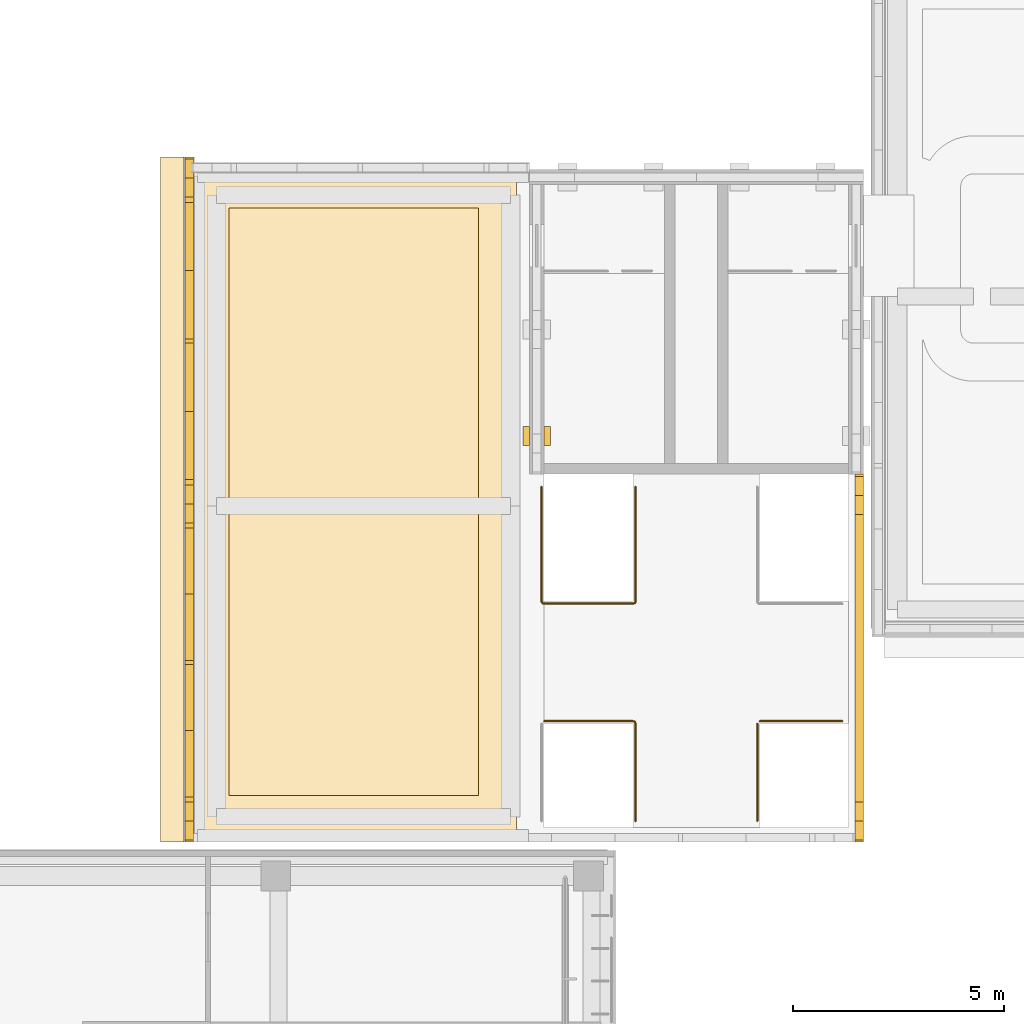
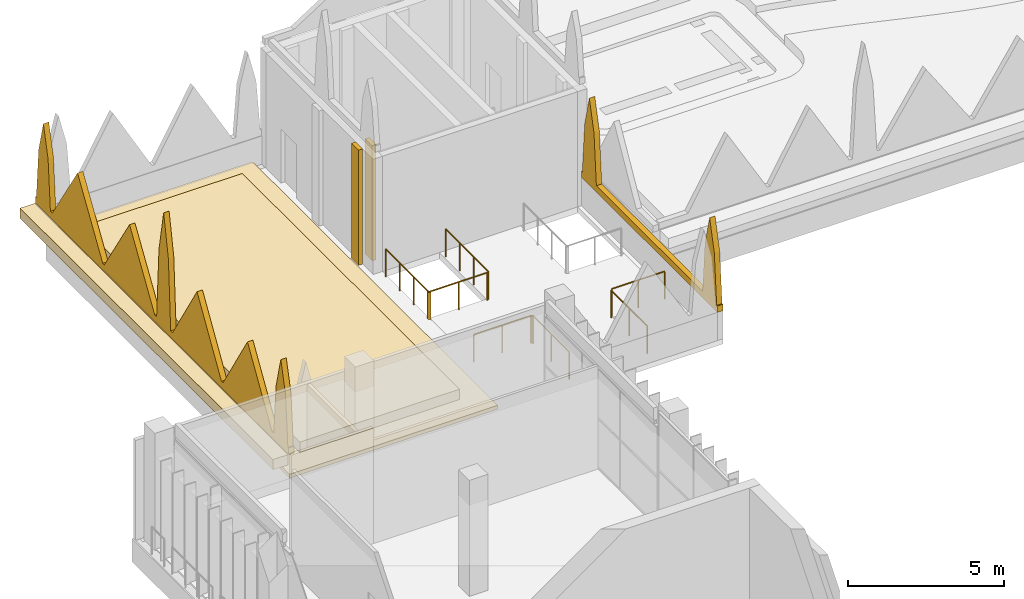
# One storey, part 37 of 46: 7 coverings, 4 railings.
"""IFC4 building model written with IfcOpenShell, lengths in metres."""

from ifc_helpers import new_model, si_unit, direction, frame, frame_2d, origin, origin_2d, place, context, subcontext, project, spatial, polyline, rectangle, circle, outline, extrude, material, layer, layer_set, type_object, element, save


model = new_model("IFC4")

# Units and contexts
model_context = context("Model", 3, precision=1e-05, world=origin(), true_north=direction((0.0, 1.0)))
body_context = subcontext(model_context, "Body", "Model", "MODEL_VIEW")
ifc_project = project(units=[si_unit("LENGTHUNIT", "METRE"), si_unit("AREAUNIT", "SQUARE_METRE"), si_unit("VOLUMEUNIT", "CUBIC_METRE"), si_unit("PLANEANGLEUNIT", "RADIAN"), si_unit("MASSUNIT", "GRAM", prefix="KILO")], contexts=[model_context])

# Site, building, storey
site_placement = place(None, origin())
site = spatial("IfcSite", under=ifc_project, at=site_placement, CompositionType="ELEMENT")
building_placement = place(site_placement, origin())
building = spatial("IfcBuilding", under=site, at=building_placement, Name="Lantern Court Media Centre", CompositionType="ELEMENT")
storey_placement = place(building_placement, frame((0.0, 0.0, 28.800048828125)))
storey = spatial("IfcBuildingStorey", under=building, at=storey_placement, Name="L06", CompositionType="ELEMENT", Elevation=28.800048828125)

# Railings
ifc_material_1 = material(Name="Powder-coated steel", Category="steel")
railing_type = type_object("IfcRailingType", Name="Floor edge guard 1100", PredefinedType="GUARDRAIL", material=ifc_material_1)
railing_1_placement = place(storey_placement, frame((18.510009765625, 104.5, 0.0)))
element("IfcRailing", 1, at=railing_1_placement, inside=storey, type_object=railing_type, Name="L06 opening guard 154", PredefinedType="GUARDRAIL", context=body_context, shape_type="SweptSolid", body=[
    extrude(circle(Radius=0.02392578125, at=origin_2d()), frame((0.0, 0.0, 1.076171875), z_axis=(0.0, -1.0, 0.0), x_axis=(1.0, 0.0, 0.0)), (0.0, 0.0, 1.0), 2.699951171875),
    extrude(circle(Radius=0.02392578125, at=origin_2d()), frame((0.0, -2.699951171875, 1.076171875), z_axis=(-0.041630544712, -0.999133073092, 0.0), x_axis=(0.999133073092, -0.041630544712, 0.0)), (0.0, 0.0, 1.0), 0.005859375),
    extrude(circle(Radius=0.02392578125, at=origin_2d()), frame((-0.000244140625, -2.705810546875, 1.076171875), z_axis=(-0.164398987305, -0.986393923832, 0.0), x_axis=(0.986393923832, -0.164398987305, 0.0)), (0.0, 0.0, 1.0), 0.005859375),
    extrude(circle(Radius=0.02392578125, at=origin_2d()), frame((-0.001220703125, -2.711669921875, 1.076171875), z_axis=(-0.242535625036, -0.970142500145, 0.0), x_axis=(0.970142500145, -0.242535625036, 0.0)), (0.0, 0.0, 1.0), 0.006103515625),
    extrude(circle(Radius=0.02392578125, at=origin_2d()), frame((-0.002685546875, -2.717529296875, 1.076171875), z_axis=(-0.341743063087, -0.939793423488, 0.0), x_axis=(0.939793423488, -0.341743063087, 0.0)), (0.0, 0.0, 1.0), 0.005615234375),
    extrude(circle(Radius=0.02392578125, at=origin_2d()), frame((-0.004638671875, -2.722900390625, 1.076171875), z_axis=(-0.413802944301, -0.910366477463, 0.0), x_axis=(0.910366477463, -0.413802944301, 0.0)), (0.0, 0.0, 1.0), 0.005859375),
    extrude(circle(Radius=0.02392578125, at=origin_2d()), frame((-0.007080078125, -2.728271484375, 1.076171875), z_axis=(-0.496138938357, -0.868243142124, 0.0), x_axis=(0.868243142124, -0.496138938357, 0.0)), (0.0, 0.0, 1.0), 0.005859375),
    extrude(circle(Radius=0.02392578125, at=origin_2d()), frame((-0.010009765625, -2.7333984375, 1.076171875), z_axis=(-0.619644288579, -0.784882765533, 0.0), x_axis=(0.784882765533, -0.619644288579, 0.0)), (0.0, 0.0, 1.0), 0.005859375),
    extrude(circle(Radius=0.02392578125, at=origin_2d()), frame((-0.013671875, -2.738037109375, 1.076171875), z_axis=(-0.66436383883, -0.747409318684, 0.0), x_axis=(0.747409318684, -0.66436383883, 0.0)), (0.0, 0.0, 1.0), 0.005859375),
    extrude(circle(Radius=0.02392578125, at=origin_2d()), frame((-0.017578125, -2.742431640625, 1.076171875), z_axis=(-0.747409318684, -0.66436383883, 0.0), x_axis=(0.66436383883, -0.747409318684, 0.0)), (0.0, 0.0, 1.0), 0.005859375),
    extrude(circle(Radius=0.02392578125, at=origin_2d()), frame((-0.02197265625, -2.746337890625, 1.076171875), z_axis=(-0.784882765533, -0.619644288579, 0.0), x_axis=(0.619644288579, -0.784882765533, 0.0)), (0.0, 0.0, 1.0), 0.005859375),
    extrude(circle(Radius=0.02392578125, at=origin_2d()), frame((-0.026611328125, -2.75, 1.076171875), z_axis=(-0.868243142124, -0.496138938357, 0.0), x_axis=(0.496138938357, -0.868243142124, 0.0)), (0.0, 0.0, 1.0), 0.005859375),
    extrude(circle(Radius=0.02392578125, at=origin_2d()), frame((-0.03173828125, -2.7529296875, 1.076171875), z_axis=(-0.910366477463, -0.413802944301, 0.0), x_axis=(0.413802944301, -0.910366477463, 0.0)), (0.0, 0.0, 1.0), 0.005859375),
    extrude(circle(Radius=0.02392578125, at=origin_2d()), frame((-0.037109375, -2.75537109375, 1.076171875), z_axis=(-0.939793423488, -0.341743063087, 0.0), x_axis=(0.341743063087, -0.939793423488, 0.0)), (0.0, 0.0, 1.0), 0.005615234375),
    extrude(circle(Radius=0.02392578125, at=origin_2d()), frame((-0.04248046875, -2.75732421875, 1.076171875), z_axis=(-0.970142500145, -0.242535625036, 0.0), x_axis=(0.242535625036, -0.970142500145, 0.0)), (0.0, 0.0, 1.0), 0.006103515625),
    extrude(circle(Radius=0.02392578125, at=origin_2d()), frame((-0.04833984375, -2.7587890625, 1.076171875), z_axis=(-0.986393923832, -0.164398987305, 0.0), x_axis=(0.164398987305, -0.986393923832, 0.0)), (0.0, 0.0, 1.0), 0.005859375),
    extrude(circle(Radius=0.02392578125, at=origin_2d()), frame((-0.05419921875, -2.759765625, 1.076171875), z_axis=(-0.999133073092, -0.041630544712, 0.0), x_axis=(0.041630544712, -0.999133073092, 0.0)), (0.0, 0.0, 1.0), 0.005859375),
    extrude(circle(Radius=0.02392578125, at=origin_2d()), frame((-0.06005859375, -2.760009765625, 1.076171875), z_axis=(-1.0, 0.0, 0.0), x_axis=(0.0, -1.0, 0.0)), (0.0, 0.0, 1.0), 2.099853515625),
    extrude(circle(Radius=0.02392578125, at=origin_2d()), frame((-2.159912109375, -2.760009765625, 1.076171875), z_axis=(-0.999133073092, 0.041630544712, 0.0), x_axis=(-0.041630544712, -0.999133073092, 0.0)), (0.0, 0.0, 1.0), 0.005859375),
    extrude(circle(Radius=0.02392578125, at=origin_2d()), frame((-2.165771484375, -2.759765625, 1.076171875), z_axis=(-0.986393923832, 0.164398987305, 0.0), x_axis=(-0.164398987305, -0.986393923832, 0.0)), (0.0, 0.0, 1.0), 0.005859375),
    extrude(circle(Radius=0.02392578125, at=origin_2d()), frame((-2.171630859375, -2.7587890625, 1.076171875), z_axis=(-0.970142500145, 0.242535625036, 0.0), x_axis=(-0.242535625036, -0.970142500145, 0.0)), (0.0, 0.0, 1.0), 0.006103515625),
    extrude(circle(Radius=0.02392578125, at=origin_2d()), frame((-2.177490234375, -2.75732421875, 1.076171875), z_axis=(-0.939793423488, 0.341743063087, 0.0), x_axis=(-0.341743063087, -0.939793423488, 0.0)), (0.0, 0.0, 1.0), 0.005615234375),
    extrude(circle(Radius=0.02392578125, at=origin_2d()), frame((-2.182861328125, -2.75537109375, 1.076171875), z_axis=(-0.910366477463, 0.413802944301, 0.0), x_axis=(-0.413802944301, -0.910366477463, 0.0)), (0.0, 0.0, 1.0), 0.005859375),
    extrude(circle(Radius=0.02392578125, at=origin_2d()), frame((-2.188232421875, -2.7529296875, 1.076171875), z_axis=(-0.868243142124, 0.496138938357, 0.0), x_axis=(-0.496138938357, -0.868243142124, 0.0)), (0.0, 0.0, 1.0), 0.005859375),
    extrude(circle(Radius=0.02392578125, at=origin_2d()), frame((-2.193359375, -2.75, 1.076171875), z_axis=(-0.784882765533, 0.619644288579, 0.0), x_axis=(-0.619644288579, -0.784882765533, 0.0)), (0.0, 0.0, 1.0), 0.005859375),
    extrude(circle(Radius=0.02392578125, at=origin_2d()), frame((-2.197998046875, -2.746337890625, 1.076171875), z_axis=(-0.747409318684, 0.66436383883, 0.0), x_axis=(-0.66436383883, -0.747409318684, 0.0)), (0.0, 0.0, 1.0), 0.005859375),
    extrude(circle(Radius=0.02392578125, at=origin_2d()), frame((-2.202392578125, -2.742431640625, 1.076171875), z_axis=(-0.66436383883, 0.747409318684, 0.0), x_axis=(-0.747409318684, -0.66436383883, 0.0)), (0.0, 0.0, 1.0), 0.005859375),
    extrude(circle(Radius=0.02392578125, at=origin_2d()), frame((-2.206298828125, -2.738037109375, 1.076171875), z_axis=(-0.619644288579, 0.784882765533, 0.0), x_axis=(-0.784882765533, -0.619644288579, 0.0)), (0.0, 0.0, 1.0), 0.005859375),
    extrude(circle(Radius=0.02392578125, at=origin_2d()), frame((-2.2099609375, -2.7333984375, 1.076171875), z_axis=(-0.496138938357, 0.868243142124, 0.0), x_axis=(-0.868243142124, -0.496138938357, 0.0)), (0.0, 0.0, 1.0), 0.005859375),
    extrude(circle(Radius=0.02392578125, at=origin_2d()), frame((-2.212890625, -2.728271484375, 1.076171875), z_axis=(-0.413802944301, 0.910366477463, 0.0), x_axis=(-0.910366477463, -0.413802944301, 0.0)), (0.0, 0.0, 1.0), 0.005859375),
    extrude(circle(Radius=0.02392578125, at=origin_2d()), frame((-2.21533203125, -2.722900390625, 1.076171875), z_axis=(-0.378632845721, 0.925546956206, 0.0), x_axis=(-0.925546956206, -0.378632845721, 0.0)), (0.0, 0.0, 1.0), 0.005859375),
    extrude(circle(Radius=0.02392578125, at=origin_2d()), frame((-2.217529296875, -2.717529296875, 1.076171875), z_axis=(-0.203954254112, 0.978980419738, 0.0), x_axis=(-0.978980419738, -0.203954254112, 0.0)), (0.0, 0.0, 1.0), 0.006103515625),
    extrude(circle(Radius=0.02392578125, at=origin_2d()), frame((-2.21875, -2.711669921875, 1.076171875), z_axis=(-0.164398987305, 0.986393923832, 0.0), x_axis=(-0.986393923832, -0.164398987305, 0.0)), (0.0, 0.0, 1.0), 0.005859375),
    extrude(circle(Radius=0.02392578125, at=origin_2d()), frame((-2.2197265625, -2.705810546875, 1.076171875), z_axis=(-0.041630544712, 0.999133073092, 0.0), x_axis=(-0.999133073092, -0.041630544712, 0.0)), (0.0, 0.0, 1.0), 0.005859375),
    extrude(circle(Radius=0.02392578125, at=origin_2d()), frame((-2.219970703125, -2.699951171875, 1.076171875), z_axis=(0.0, 1.0, 0.0), x_axis=(-1.0, 0.0, 0.0)), (0.0, 0.0, 1.0), 2.699951171875),
    extrude(circle(Radius=0.02099609375, at=origin_2d()), origin(), (0.0, 0.0, 1.0), 1.052001953125),
    extrude(circle(Radius=0.02099609375, at=origin_2d()), frame((0.0, -0.89990234375, 0.0)), (0.0, 0.0, 1.0), 1.052001953125),
    extrude(circle(Radius=0.02099609375, at=origin_2d()), frame((0.0, -1.800048828125, 0.0)), (0.0, 0.0, 1.0), 1.052001953125),
    extrude(circle(Radius=0.02099609375, at=origin_2d()), frame((0.0, -2.699951171875, 0.0)), (0.0, 0.0, 1.0), 1.052001953125),
    extrude(circle(Radius=0.02099609375, at=origin_2d()), frame((-0.000244140625, -2.705810546875, 0.0)), (0.0, 0.0, 1.0), 1.052001953125),
    extrude(circle(Radius=0.02099609375, at=origin_2d()), frame((-0.001220703125, -2.711669921875, 0.0)), (0.0, 0.0, 1.0), 1.052001953125),
    extrude(circle(Radius=0.02099609375, at=origin_2d()), frame((-0.002685546875, -2.717529296875, 0.0)), (0.0, 0.0, 1.0), 1.052001953125),
    extrude(circle(Radius=0.02099609375, at=origin_2d()), frame((-0.004638671875, -2.722900390625, 0.0)), (0.0, 0.0, 1.0), 1.052001953125),
    extrude(circle(Radius=0.02099609375, at=origin_2d()), frame((-0.007080078125, -2.728271484375, 0.0)), (0.0, 0.0, 1.0), 1.052001953125),
    extrude(circle(Radius=0.02099609375, at=origin_2d()), frame((-0.010009765625, -2.7333984375, 0.0)), (0.0, 0.0, 1.0), 1.052001953125),
    extrude(circle(Radius=0.02099609375, at=origin_2d()), frame((-0.013671875, -2.738037109375, 0.0)), (0.0, 0.0, 1.0), 1.052001953125),
    extrude(circle(Radius=0.02099609375, at=origin_2d()), frame((-0.017578125, -2.742431640625, 0.0)), (0.0, 0.0, 1.0), 1.052001953125),
    extrude(circle(Radius=0.02099609375, at=origin_2d()), frame((-0.02197265625, -2.746337890625, 0.0)), (0.0, 0.0, 1.0), 1.052001953125),
    extrude(circle(Radius=0.02099609375, at=origin_2d()), frame((-0.026611328125, -2.75, 0.0)), (0.0, 0.0, 1.0), 1.052001953125),
    extrude(circle(Radius=0.02099609375, at=origin_2d()), frame((-0.03173828125, -2.7529296875, 0.0)), (0.0, 0.0, 1.0), 1.052001953125),
    extrude(circle(Radius=0.02099609375, at=origin_2d()), frame((-0.037109375, -2.75537109375, 0.0)), (0.0, 0.0, 1.0), 1.052001953125),
    extrude(circle(Radius=0.02099609375, at=origin_2d()), frame((-0.04248046875, -2.75732421875, 0.0)), (0.0, 0.0, 1.0), 1.052001953125),
    extrude(circle(Radius=0.02099609375, at=origin_2d()), frame((-0.04833984375, -2.7587890625, 0.0)), (0.0, 0.0, 1.0), 1.052001953125),
    extrude(circle(Radius=0.02099609375, at=origin_2d()), frame((-0.05419921875, -2.759765625, 0.0)), (0.0, 0.0, 1.0), 1.052001953125),
    extrude(circle(Radius=0.02099609375, at=origin_2d()), frame((-0.06005859375, -2.760009765625, 0.0)), (0.0, 0.0, 1.0), 1.052001953125),
    extrude(circle(Radius=0.02099609375, at=origin_2d()), frame((-1.10986328125, -2.760009765625, 0.0)), (0.0, 0.0, 1.0), 1.052001953125),
    extrude(circle(Radius=0.02099609375, at=origin_2d()), frame((-2.159912109375, -2.760009765625, 0.0)), (0.0, 0.0, 1.0), 1.052001953125),
    extrude(circle(Radius=0.02099609375, at=origin_2d()), frame((-2.165771484375, -2.759765625, 0.0)), (0.0, 0.0, 1.0), 1.052001953125),
    extrude(circle(Radius=0.02099609375, at=origin_2d()), frame((-2.171630859375, -2.7587890625, 0.0)), (0.0, 0.0, 1.0), 1.052001953125),
    extrude(circle(Radius=0.02099609375, at=origin_2d()), frame((-2.177490234375, -2.75732421875, 0.0)), (0.0, 0.0, 1.0), 1.052001953125),
    extrude(circle(Radius=0.02099609375, at=origin_2d()), frame((-2.182861328125, -2.75537109375, 0.0)), (0.0, 0.0, 1.0), 1.052001953125),
    extrude(circle(Radius=0.02099609375, at=origin_2d()), frame((-2.188232421875, -2.7529296875, 0.0)), (0.0, 0.0, 1.0), 1.052001953125),
    extrude(circle(Radius=0.02099609375, at=origin_2d()), frame((-2.193359375, -2.75, 0.0)), (0.0, 0.0, 1.0), 1.052001953125),
    extrude(circle(Radius=0.02099609375, at=origin_2d()), frame((-2.197998046875, -2.746337890625, 0.0)), (0.0, 0.0, 1.0), 1.052001953125),
    extrude(circle(Radius=0.02099609375, at=origin_2d()), frame((-2.202392578125, -2.742431640625, 0.0)), (0.0, 0.0, 1.0), 1.052001953125),
    extrude(circle(Radius=0.02099609375, at=origin_2d()), frame((-2.206298828125, -2.738037109375, 0.0)), (0.0, 0.0, 1.0), 1.052001953125),
    extrude(circle(Radius=0.02099609375, at=origin_2d()), frame((-2.2099609375, -2.7333984375, 0.0)), (0.0, 0.0, 1.0), 1.052001953125),
    extrude(circle(Radius=0.02099609375, at=origin_2d()), frame((-2.212890625, -2.728271484375, 0.0)), (0.0, 0.0, 1.0), 1.052001953125),
    extrude(circle(Radius=0.02099609375, at=origin_2d()), frame((-2.21533203125, -2.722900390625, 0.0)), (0.0, 0.0, 1.0), 1.052001953125),
    extrude(circle(Radius=0.02099609375, at=origin_2d()), frame((-2.217529296875, -2.717529296875, 0.0)), (0.0, 0.0, 1.0), 1.052001953125),
    extrude(circle(Radius=0.02099609375, at=origin_2d()), frame((-2.21875, -2.711669921875, 0.0)), (0.0, 0.0, 1.0), 1.052001953125),
    extrude(circle(Radius=0.02099609375, at=origin_2d()), frame((-2.2197265625, -2.705810546875, 0.0)), (0.0, 0.0, 1.0), 1.052001953125),
    extrude(circle(Radius=0.02099609375, at=origin_2d()), frame((-2.219970703125, -2.699951171875, 0.0)), (0.0, 0.0, 1.0), 1.052001953125),
    extrude(circle(Radius=0.02099609375, at=origin_2d()), frame((-2.219970703125, -1.800048828125, 0.0)), (0.0, 0.0, 1.0), 1.052001953125),
    extrude(circle(Radius=0.02099609375, at=origin_2d()), frame((-2.219970703125, -0.89990234375, 0.0)), (0.0, 0.0, 1.0), 1.052001953125),
    extrude(circle(Radius=0.02099609375, at=origin_2d()), frame((-2.219970703125, 0.0, 0.0)), (0.0, 0.0, 1.0), 1.052001953125),
])
railing_2_placement = place(storey_placement, frame((16.35009765625, 98.9599609375, 0.0)))
element("IfcRailing", 2, at=railing_2_placement, inside=storey, type_object=railing_type, Name="L06 opening guard 156", PredefinedType="GUARDRAIL", context=body_context, shape_type="SweptSolid", body=[
    extrude(circle(Radius=0.02392578125, at=origin_2d()), frame((0.0, 0.0, 1.076171875), z_axis=(1.0, 0.0, 0.0), x_axis=(0.0, 1.0, 0.0)), (0.0, 0.0, 1.0), 2.099853515625),
    extrude(circle(Radius=0.02392578125, at=origin_2d()), frame((2.099853515625, 0.0, 1.076171875), z_axis=(0.999133073092, -0.041630544712, 0.0), x_axis=(0.041630544712, 0.999133073092, 0.0)), (0.0, 0.0, 1.0), 0.005859375),
    extrude(circle(Radius=0.02392578125, at=origin_2d()), frame((2.105712890625, -0.000244140625, 1.076171875), z_axis=(0.986393923832, -0.164398987305, 0.0), x_axis=(0.164398987305, 0.986393923832, 0.0)), (0.0, 0.0, 1.0), 0.005859375),
    extrude(circle(Radius=0.02392578125, at=origin_2d()), frame((2.111572265625, -0.001220703125, 1.076171875), z_axis=(0.978980419738, -0.203954254112, 0.0), x_axis=(0.203954254112, 0.978980419738, 0.0)), (0.0, 0.0, 1.0), 0.006103515625),
    extrude(circle(Radius=0.02392578125, at=origin_2d()), frame((2.117431640625, -0.00244140625, 1.076171875), z_axis=(0.925546956206, -0.378632845721, 0.0), x_axis=(0.378632845721, 0.925546956206, 0.0)), (0.0, 0.0, 1.0), 0.005859375),
    extrude(circle(Radius=0.02392578125, at=origin_2d()), frame((2.122802734375, -0.004638671875, 1.076171875), z_axis=(0.910366477463, -0.413802944301, 0.0), x_axis=(0.413802944301, 0.910366477463, 0.0)), (0.0, 0.0, 1.0), 0.005859375),
    extrude(circle(Radius=0.02392578125, at=origin_2d()), frame((2.128173828125, -0.007080078125, 1.076171875), z_axis=(0.868243142124, -0.496138938357, 0.0), x_axis=(0.496138938357, 0.868243142124, 0.0)), (0.0, 0.0, 1.0), 0.005859375),
    extrude(circle(Radius=0.02392578125, at=origin_2d()), frame((2.13330078125, -0.010009765625, 1.076171875), z_axis=(0.784882765533, -0.619644288579, 0.0), x_axis=(0.619644288579, 0.784882765533, 0.0)), (0.0, 0.0, 1.0), 0.005859375),
    extrude(circle(Radius=0.02392578125, at=origin_2d()), frame((2.137939453125, -0.013671875, 1.076171875), z_axis=(0.747409318684, -0.66436383883, 0.0), x_axis=(0.66436383883, 0.747409318684, 0.0)), (0.0, 0.0, 1.0), 0.005859375),
    extrude(circle(Radius=0.02392578125, at=origin_2d()), frame((2.142333984375, -0.017578125, 1.076171875), z_axis=(0.66436383883, -0.747409318684, 0.0), x_axis=(0.747409318684, 0.66436383883, 0.0)), (0.0, 0.0, 1.0), 0.005859375),
    extrude(circle(Radius=0.02392578125, at=origin_2d()), frame((2.146240234375, -0.02197265625, 1.076171875), z_axis=(0.619644288579, -0.784882765533, 0.0), x_axis=(0.784882765533, 0.619644288579, 0.0)), (0.0, 0.0, 1.0), 0.005859375),
    extrude(circle(Radius=0.02392578125, at=origin_2d()), frame((2.14990234375, -0.026611328125, 1.076171875), z_axis=(0.496138938357, -0.868243142124, 0.0), x_axis=(0.868243142124, 0.496138938357, 0.0)), (0.0, 0.0, 1.0), 0.005859375),
    extrude(circle(Radius=0.02392578125, at=origin_2d()), frame((2.15283203125, -0.03173828125, 1.076171875), z_axis=(0.413802944301, -0.910366477463, 0.0), x_axis=(0.910366477463, 0.413802944301, 0.0)), (0.0, 0.0, 1.0), 0.005859375),
    extrude(circle(Radius=0.02392578125, at=origin_2d()), frame((2.1552734375, -0.037109375, 1.076171875), z_axis=(0.341743063087, -0.939793423488, 0.0), x_axis=(0.939793423488, 0.341743063087, 0.0)), (0.0, 0.0, 1.0), 0.005615234375),
    extrude(circle(Radius=0.02392578125, at=origin_2d()), frame((2.1572265625, -0.04248046875, 1.076171875), z_axis=(0.242535625036, -0.970142500145, 0.0), x_axis=(0.970142500145, 0.242535625036, 0.0)), (0.0, 0.0, 1.0), 0.006103515625),
    extrude(circle(Radius=0.02392578125, at=origin_2d()), frame((2.15869140625, -0.04833984375, 1.076171875), z_axis=(0.164398987305, -0.986393923832, 0.0), x_axis=(0.986393923832, 0.164398987305, 0.0)), (0.0, 0.0, 1.0), 0.005859375),
    extrude(circle(Radius=0.02392578125, at=origin_2d()), frame((2.15966796875, -0.05419921875, 1.076171875), z_axis=(0.041630544712, -0.999133073092, 0.0), x_axis=(0.999133073092, 0.041630544712, 0.0)), (0.0, 0.0, 1.0), 0.005859375),
    extrude(circle(Radius=0.02392578125, at=origin_2d()), frame((2.159912109375, -0.06005859375, 1.076171875), z_axis=(0.0, -1.0, 0.0), x_axis=(1.0, 0.0, 0.0)), (0.0, 0.0, 1.0), 2.2998046875),
    extrude(circle(Radius=0.02099609375, at=origin_2d()), origin(), (0.0, 0.0, 1.0), 1.052001953125),
    extrude(circle(Radius=0.02099609375, at=origin_2d()), frame((1.0498046875, 0.0, 0.0)), (0.0, 0.0, 1.0), 1.052001953125),
    extrude(circle(Radius=0.02099609375, at=origin_2d()), frame((2.099853515625, 0.0, 0.0)), (0.0, 0.0, 1.0), 1.052001953125),
    extrude(circle(Radius=0.02099609375, at=origin_2d()), frame((2.105712890625, -0.000244140625, 0.0)), (0.0, 0.0, 1.0), 1.052001953125),
    extrude(circle(Radius=0.02099609375, at=origin_2d()), frame((2.111572265625, -0.001220703125, 0.0)), (0.0, 0.0, 1.0), 1.052001953125),
    extrude(circle(Radius=0.02099609375, at=origin_2d()), frame((2.117431640625, -0.00244140625, 0.0)), (0.0, 0.0, 1.0), 1.052001953125),
    extrude(circle(Radius=0.02099609375, at=origin_2d()), frame((2.122802734375, -0.004638671875, 0.0)), (0.0, 0.0, 1.0), 1.052001953125),
    extrude(circle(Radius=0.02099609375, at=origin_2d()), frame((2.128173828125, -0.007080078125, 0.0)), (0.0, 0.0, 1.0), 1.052001953125),
    extrude(circle(Radius=0.02099609375, at=origin_2d()), frame((2.13330078125, -0.010009765625, 0.0)), (0.0, 0.0, 1.0), 1.052001953125),
    extrude(circle(Radius=0.02099609375, at=origin_2d()), frame((2.137939453125, -0.013671875, 0.0)), (0.0, 0.0, 1.0), 1.052001953125),
    extrude(circle(Radius=0.02099609375, at=origin_2d()), frame((2.142333984375, -0.017578125, 0.0)), (0.0, 0.0, 1.0), 1.052001953125),
    extrude(circle(Radius=0.02099609375, at=origin_2d()), frame((2.146240234375, -0.02197265625, 0.0)), (0.0, 0.0, 1.0), 1.052001953125),
    extrude(circle(Radius=0.02099609375, at=origin_2d()), frame((2.14990234375, -0.026611328125, 0.0)), (0.0, 0.0, 1.0), 1.052001953125),
    extrude(circle(Radius=0.02099609375, at=origin_2d()), frame((2.15283203125, -0.03173828125, 0.0)), (0.0, 0.0, 1.0), 1.052001953125),
    extrude(circle(Radius=0.02099609375, at=origin_2d()), frame((2.1552734375, -0.037109375, 0.0)), (0.0, 0.0, 1.0), 1.052001953125),
    extrude(circle(Radius=0.02099609375, at=origin_2d()), frame((2.1572265625, -0.04248046875, 0.0)), (0.0, 0.0, 1.0), 1.052001953125),
    extrude(circle(Radius=0.02099609375, at=origin_2d()), frame((2.15869140625, -0.04833984375, 0.0)), (0.0, 0.0, 1.0), 1.052001953125),
    extrude(circle(Radius=0.02099609375, at=origin_2d()), frame((2.15966796875, -0.05419921875, 0.0)), (0.0, 0.0, 1.0), 1.052001953125),
    extrude(circle(Radius=0.02099609375, at=origin_2d()), frame((2.159912109375, -0.06005859375, 0.0)), (0.0, 0.0, 1.0), 1.052001953125),
    extrude(circle(Radius=0.02099609375, at=origin_2d()), frame((2.159912109375, -1.2099609375, 0.0)), (0.0, 0.0, 1.0), 1.052001953125),
    extrude(circle(Radius=0.02099609375, at=origin_2d()), frame((2.159912109375, -2.35986328125, 0.0)), (0.0, 0.0, 1.0), 1.052001953125),
])
railing_3_placement = place(storey_placement, frame((21.449951171875, 98.9599609375, 0.0)))
element("IfcRailing", 3, at=railing_3_placement, inside=storey, type_object=railing_type, Name="L06 opening guard 158", PredefinedType="GUARDRAIL", context=body_context, shape_type="SweptSolid", body=[
    extrude(circle(Radius=0.02392578125, at=origin_2d()), frame((0.0, 0.0, 1.076171875), z_axis=(1.0, 0.0, 0.0), x_axis=(0.0, 1.0, 0.0)), (0.0, 0.0, 1.0), 1.949951171875),
    extrude(circle(Radius=0.02099609375, at=origin_2d()), origin(), (0.0, 0.0, 1.0), 1.052001953125),
    extrude(circle(Radius=0.02099609375, at=origin_2d()), frame((0.97509765625, 0.0, 0.0)), (0.0, 0.0, 1.0), 1.052001953125),
    extrude(circle(Radius=0.02099609375, at=origin_2d()), frame((1.949951171875, 0.0, 0.0)), (0.0, 0.0, 1.0), 1.052001953125),
])
railing_4_placement = place(storey_placement, frame((21.389892578125, 96.60009765625, 0.0)))
element("IfcRailing", 4, at=railing_4_placement, inside=storey, type_object=railing_type, Name="L06 opening guard 159", PredefinedType="GUARDRAIL", context=body_context, shape_type="SweptSolid", body=[
    extrude(circle(Radius=0.02392578125, at=origin_2d()), frame((0.0, 0.0, 1.076171875), z_axis=(0.0, 1.0, 0.0), x_axis=(-1.0, 0.0, 0.0)), (0.0, 0.0, 1.0), 2.2998046875),
    extrude(circle(Radius=0.02099609375, at=origin_2d()), origin(), (0.0, 0.0, 1.0), 1.052001953125),
    extrude(circle(Radius=0.02099609375, at=origin_2d()), frame((0.0, 1.14990234375, 0.0)), (0.0, 0.0, 1.0), 1.052001953125),
    extrude(circle(Radius=0.02099609375, at=origin_2d()), frame((0.0, 2.2998046875, 0.0)), (0.0, 0.0, 1.0), 1.052001953125),
])

# Coverings
ifc_material_2 = material(Name="Honed limestone cladding on blockwork", Category="masonry")
ifc_layer_1 = layer(ifc_material_2, 0.550048828125)
ifc_layer_set_1 = layer_set([ifc_layer_1], Name="Honed limestone cladding on blockwork")
covering_type_1 = type_object("IfcCoveringType", Name="Limestone cornice 550", PredefinedType="CLADDING", material=ifc_layer_set_1)
covering_1_placement = place(storey_placement, frame((7.554931640625, 96.10009765625, 0.699951171875), z_axis=(0.0, 0.0, 1.0), x_axis=(0.0, 1.0, 0.0)))
element("IfcCovering", 5, at=covering_1_placement, inside=storey, type_object=covering_type_1, Name="Attic cornice", PredefinedType="CLADDING", context=body_context, shape_type="SweptSolid", body=[
    extrude(rectangle(XDim=16.199951171875, YDim=0.550048828125, at=frame_2d((8.10009765625, 0.0))), origin(), (0.0, 0.0, 1.0), 0.39990234375),
])
ifc_layer_2 = layer(ifc_material_2, 0.199951171875)
ifc_layer_set_2 = layer_set([ifc_layer_2], Name="Honed limestone cladding on blockwork")
covering_type_2 = type_object("IfcCoveringType", Name="Limestone cresting 200", PredefinedType="CLADDING", material=ifc_layer_set_2)
covering_2_placement = place(storey_placement, frame((7.955078125, 96.10009765625, 1.099853515625), z_axis=(0.0, 0.0, 1.0), x_axis=(0.0, 1.0, 0.0)))
element("IfcCovering", 6, at=covering_2_placement, inside=storey, type_object=covering_type_2, Name="Parapet cresting", PredefinedType="CLADDING", context=body_context, shape_type="SweptSolid", body=[
    extrude(outline(polyline([(0.0, 0.0), (16.199951171875, 0.0), (16.199951171875, 0.25), (16.14990234375, 0.25), (16.0, 2.210205078125), (15.699951171875, 3.400146484375), (15.39990234375, 2.210205078125), (15.25, 0.25), (15.1298828125, 0.25), (13.514892578125, 2.800048828125), (11.89990234375, 0.25), (11.800048828125, 0.25), (10.18505859375, 2.800048828125), (8.570068359375, 0.25), (8.449951171875, 0.25), (8.300048828125, 2.983642578125), (8.0, 4.590087890625), (7.699951171875, 2.983642578125), (7.550048828125, 0.25), (7.429931640625, 0.25), (5.864990234375, 2.800048828125), (4.300048828125, 0.25), (4.199951171875, 0.25), (2.635009765625, 2.800048828125), (1.070068359375, 0.25), (0.949951171875, 0.25), (0.800048828125, 2.210205078125), (0.5, 3.400146484375), (0.199951171875, 2.210205078125), (0.050048828125, 0.25), (0.0, 0.25), (0.0, 0.0)])), frame((0.0, 0.10009765625, 0.0), z_axis=(0.0, -1.0, 0.0), x_axis=(1.0, 0.0, 0.0)), (0.0, 0.0, 1.0), 0.199951171875),
])
covering_3_placement = place(storey_placement, frame((23.800048828125, 96.10009765625, 1.099853515625), z_axis=(0.0, 0.0, 1.0), x_axis=(0.0, 1.0, 0.0)))
element("IfcCovering", 7, at=covering_3_placement, inside=storey, type_object=covering_type_2, Name="Parapet cresting", PredefinedType="CLADDING", context=body_context, shape_type="SweptSolid", body=[
    extrude(outline(polyline([(0.0, 0.0), (8.699951171875, 0.0), (8.699951171875, 0.25), (8.64990234375, 0.25), (8.5, 2.210205078125), (8.199951171875, 3.400146484375), (7.89990234375, 2.210205078125), (7.75, 0.25), (0.949951171875, 0.25), (0.800048828125, 2.210205078125), (0.5, 3.400146484375), (0.199951171875, 2.210205078125), (0.050048828125, 0.25), (0.0, 0.25), (0.0, 0.0)])), frame((0.0, 0.10009765625, 0.0), z_axis=(0.0, -1.0, 0.0), x_axis=(1.0, 0.0, 0.0)), (0.0, 0.0, 1.0), 0.199951171875),
])
ifc_material_3 = material(Name="Honed limestone cladding", Category="masonry")
ifc_layer_3 = layer(ifc_material_3, 0.14990234375)
ifc_layer_set_3 = layer_set([ifc_layer_3], Name="Honed limestone cladding")
covering_type_3 = type_object("IfcCoveringType", Name="Limestone pilaster cladding 150", PredefinedType="CLADDING", material=ifc_layer_set_3)
for number, where, z_axis, x_axis, name in (
    (8, (16.425048828125, 105.925048828125, 0.0), (0.0, 0.0, 1.0), (0.0, -1.0, 0.0), "Limestone pilaster rib"),
    (9, (15.925048828125, 105.925048828125, 0.0), (0.0, 0.0, 1.0), (0.0, -1.0, 0.0), "Limestone pilaster rib"),
):
    element("IfcCovering", number, at=place(storey_placement, frame(where, z_axis=z_axis, x_axis=x_axis)), inside=storey, type_object=covering_type_3, Name=name, PredefinedType="CLADDING", context=body_context, shape_type="SweptSolid", body=[
        extrude(rectangle(XDim=0.449951171875, YDim=0.14990234375, at=frame_2d((0.22509765625, 0.0))), origin(), (0.0, 0.0, 1.0), 4.5),
    ])
ifc_material_4 = material(Name="Planting substrate")
ifc_layer_4 = layer(ifc_material_4, 0.39990234375)
ifc_layer_set_4 = layer_set([ifc_layer_4], Name="Planting substrate")
covering_type_4 = type_object("IfcCoveringType", Name="Planted roof garden build-up 400", PredefinedType="ROOFING", material=ifc_layer_set_4)
covering_4_placement = place(storey_placement, frame((0.0, 0.0, 0.14990234375)))
element("IfcCovering", 10, at=covering_4_placement, inside=storey, type_object=covering_type_4, Name="Planted roof garden NW", PredefinedType="ROOFING", context=body_context, shape_type="SweptSolid", body=[
    extrude(outline(polyline([(14.800048828125, 111.10009765625), (14.800048828125, 97.199951171875), (8.89990234375, 97.199951171875), (8.89990234375, 111.10009765625), (14.800048828125, 111.10009765625)])), origin(), (0.0, 0.0, 1.0), 0.400146484375),
])
ifc_material_5 = material(Name="Bituminous waterproofing membrane with insulation")
ifc_layer_5 = layer(ifc_material_5, 0.14990234375)
ifc_layer_set_5 = layer_set([ifc_layer_5], Name="Bituminous waterproofing membrane with insulation")
covering_type_5 = type_object("IfcCoveringType", Name="Roof waterproofing and insulation 150", PredefinedType="ROOFING", material=ifc_layer_set_5)
covering_5_placement = place(storey_placement, origin())
element("IfcCovering", 11, at=covering_5_placement, inside=storey, type_object=covering_type_5, Name="Roof waterproofing NW", PredefinedType="ROOFING", context=body_context, shape_type="SweptSolid", body=[
    extrude(outline(polyline([(15.699951171875, 112.0), (15.699951171875, 96.300048828125), (8.0, 96.300048828125), (8.0, 112.0), (15.699951171875, 112.0)])), origin(), (0.0, 0.0, 1.0), 0.14990234375),
])

save(model, "model.ifc")
